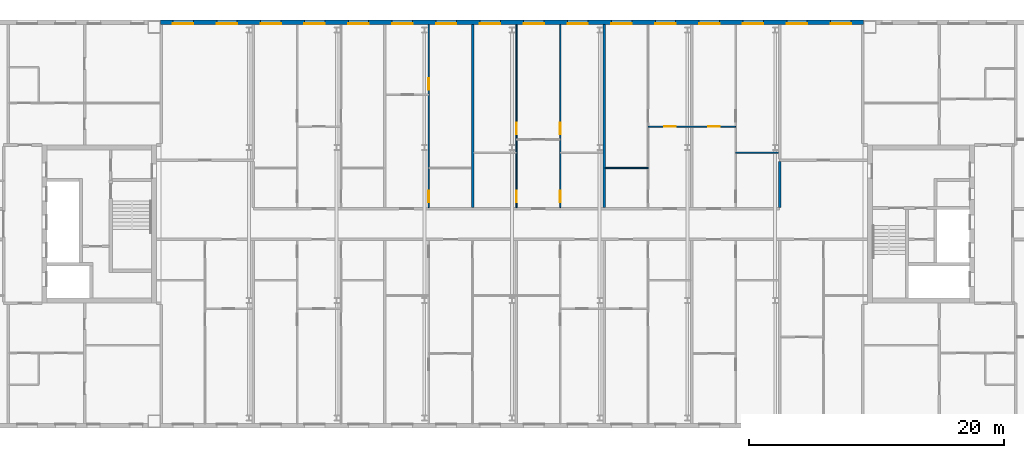
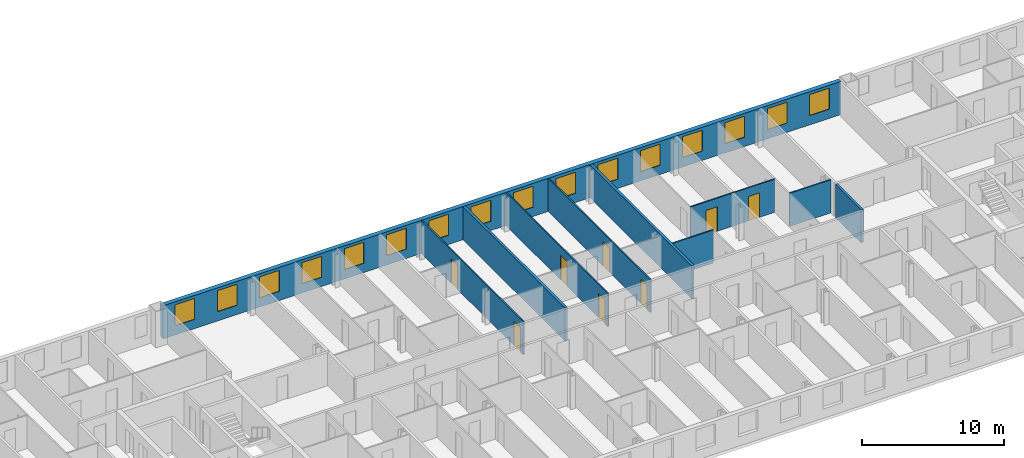
# One storey, part 12 of 19: 16 windows, 10 walls, 8 doors, 24 openings.
"""IFC4 building model written with IfcOpenShell, lengths in metres."""

from ifc_helpers import new_model, si_unit, direction, frame, frame_2d, origin, place, context, subcontext, project, spatial, rectangle, extrude, material, layer, layer_set, type_object, element, fill, save


model = new_model("IFC4")

# Units and contexts
model_context = context("Model", 3, precision=1e-05, world=origin(), true_north=direction((0.0, 1.0)))
body_context = subcontext(model_context, "Body", "Model", "MODEL_VIEW")
ifc_project = project(units=[si_unit("LENGTHUNIT", "METRE"), si_unit("AREAUNIT", "SQUARE_METRE"), si_unit("VOLUMEUNIT", "CUBIC_METRE"), si_unit("PLANEANGLEUNIT", "RADIAN"), si_unit("MASSUNIT", "GRAM", prefix="KILO")], contexts=[model_context])

# Site, building, storey
site_placement = place(None, origin())
site = spatial("IfcSite", under=ifc_project, at=site_placement, CompositionType="ELEMENT")
building_placement = place(site_placement, origin())
building = spatial("IfcBuilding", under=site, at=building_placement, Name="Tuart Gate Housing", CompositionType="ELEMENT")
storey_placement = place(building_placement, frame((0.0, 0.0, 205.89990234375)))
storey = spatial("IfcBuildingStorey", under=building, at=storey_placement, Name="L58", CompositionType="ELEMENT", Elevation=205.89990234375)

# Wall, openings, windows
ifc_material_1 = material(Name="Brick", Category="masonry")
ifc_layer_1 = layer(ifc_material_1, 0.360107421875)
ifc_layer_set_1 = layer_set([ifc_layer_1], Name="Brick pier and spandrel wall 360")
wall_type_1 = type_object("IfcWallType", Name="Brick pier and spandrel wall 360", PredefinedType="STANDARD", material=ifc_layer_set_1)
wall_1_placement = place(storey_placement, frame((131.050048828125, 85.820068359375, 0.0), z_axis=(0.0, 0.0, 1.0), x_axis=(-1.0, 0.0, 0.0)))
wall_1 = element("IfcWall", 1, at=wall_1_placement, inside=storey, type_object=wall_type_1, Name="External wall BLK-N L58", PredefinedType="STANDARD", context=body_context, shape_type="SweptSolid", body=[
    extrude(rectangle(XDim=55.10009765625, YDim=0.360107421875, at=frame_2d((27.550048828125, 0.0))), origin(), (0.0, 0.0, 1.0), 2.85009765625),
])
opening_1_placement = place(wall_1_placement, frame((0.96875, 0.0, 0.800048828125)))
opening_1 = element("IfcOpeningElement", 2, at=opening_1_placement, cuts=wall_1, Name="Opening W1", PredefinedType="OPENING", context=body_context, shape_type="SweptSolid", body=[
    extrude(rectangle(XDim=1.60009765625, YDim=1.800048828125, at=frame_2d((0.800048828125, 0.89990234375))), frame((0.0, 0.18994140625, 0.0), z_axis=(0.0, -1.0, 0.0), x_axis=(1.0, 0.0, 0.0)), (0.0, 0.0, 1.0), 0.380126953125),
])
opening_2_placement = place(wall_1_placement, frame((4.40625, 0.0, 0.800048828125)))
opening_2 = element("IfcOpeningElement", 3, at=opening_2_placement, cuts=wall_1, Name="Opening W1", PredefinedType="OPENING", context=body_context, shape_type="SweptSolid", body=[
    extrude(rectangle(XDim=1.60009765625, YDim=1.800048828125, at=frame_2d((0.800048828125, 0.89990234375))), frame((0.0, 0.18994140625, 0.0), z_axis=(0.0, -1.0, 0.0), x_axis=(1.0, 0.0, 0.0)), (0.0, 0.0, 1.0), 0.380126953125),
])
opening_3_placement = place(wall_1_placement, frame((7.84375, 0.0, 0.800048828125)))
opening_3 = element("IfcOpeningElement", 4, at=opening_3_placement, cuts=wall_1, Name="Opening W1", PredefinedType="OPENING", context=body_context, shape_type="SweptSolid", body=[
    extrude(rectangle(XDim=1.60009765625, YDim=1.800048828125, at=frame_2d((0.800048828125, 0.89990234375))), frame((0.0, 0.18994140625, 0.0), z_axis=(0.0, -1.0, 0.0), x_axis=(1.0, 0.0, 0.0)), (0.0, 0.0, 1.0), 0.380126953125),
])
opening_4_placement = place(wall_1_placement, frame((11.28125, 0.0, 0.800048828125)))
opening_4 = element("IfcOpeningElement", 5, at=opening_4_placement, cuts=wall_1, Name="Opening W1", PredefinedType="OPENING", context=body_context, shape_type="SweptSolid", body=[
    extrude(rectangle(XDim=1.60009765625, YDim=1.800048828125, at=frame_2d((0.800048828125, 0.89990234375))), frame((0.0, 0.18994140625, 0.0), z_axis=(0.0, -1.0, 0.0), x_axis=(1.0, 0.0, 0.0)), (0.0, 0.0, 1.0), 0.380126953125),
])
opening_5_placement = place(wall_1_placement, frame((14.71875, 0.0, 0.800048828125)))
opening_5 = element("IfcOpeningElement", 6, at=opening_5_placement, cuts=wall_1, Name="Opening W1", PredefinedType="OPENING", context=body_context, shape_type="SweptSolid", body=[
    extrude(rectangle(XDim=1.60009765625, YDim=1.800048828125, at=frame_2d((0.800048828125, 0.89990234375))), frame((0.0, 0.18994140625, 0.0), z_axis=(0.0, -1.0, 0.0), x_axis=(1.0, 0.0, 0.0)), (0.0, 0.0, 1.0), 0.380126953125),
])
opening_6_placement = place(wall_1_placement, frame((18.15625, 0.0, 0.800048828125)))
opening_6 = element("IfcOpeningElement", 7, at=opening_6_placement, cuts=wall_1, Name="Opening W1", PredefinedType="OPENING", context=body_context, shape_type="SweptSolid", body=[
    extrude(rectangle(XDim=1.60009765625, YDim=1.800048828125, at=frame_2d((0.800048828125, 0.89990234375))), frame((0.0, 0.18994140625, 0.0), z_axis=(0.0, -1.0, 0.0), x_axis=(1.0, 0.0, 0.0)), (0.0, 0.0, 1.0), 0.380126953125),
])
opening_7_placement = place(wall_1_placement, frame((21.59375, 0.0, 0.800048828125)))
opening_7 = element("IfcOpeningElement", 8, at=opening_7_placement, cuts=wall_1, Name="Opening W1", PredefinedType="OPENING", context=body_context, shape_type="SweptSolid", body=[
    extrude(rectangle(XDim=1.60009765625, YDim=1.800048828125, at=frame_2d((0.800048828125, 0.89990234375))), frame((0.0, 0.18994140625, 0.0), z_axis=(0.0, -1.0, 0.0), x_axis=(1.0, 0.0, 0.0)), (0.0, 0.0, 1.0), 0.380126953125),
])
opening_8_placement = place(wall_1_placement, frame((25.03125, 0.0, 0.800048828125)))
opening_8 = element("IfcOpeningElement", 9, at=opening_8_placement, cuts=wall_1, Name="Opening W1", PredefinedType="OPENING", context=body_context, shape_type="SweptSolid", body=[
    extrude(rectangle(XDim=1.60009765625, YDim=1.800048828125, at=frame_2d((0.800048828125, 0.89990234375))), frame((0.0, 0.18994140625, 0.0), z_axis=(0.0, -1.0, 0.0), x_axis=(1.0, 0.0, 0.0)), (0.0, 0.0, 1.0), 0.380126953125),
])
opening_9_placement = place(wall_1_placement, frame((28.46875, 0.0, 0.800048828125)))
opening_9 = element("IfcOpeningElement", 10, at=opening_9_placement, cuts=wall_1, Name="Opening W1", PredefinedType="OPENING", context=body_context, shape_type="SweptSolid", body=[
    extrude(rectangle(XDim=1.60009765625, YDim=1.800048828125, at=frame_2d((0.800048828125, 0.89990234375))), frame((0.0, 0.18994140625, 0.0), z_axis=(0.0, -1.0, 0.0), x_axis=(1.0, 0.0, 0.0)), (0.0, 0.0, 1.0), 0.380126953125),
])
opening_10_placement = place(wall_1_placement, frame((31.90625, 0.0, 0.800048828125)))
opening_10 = element("IfcOpeningElement", 11, at=opening_10_placement, cuts=wall_1, Name="Opening W1", PredefinedType="OPENING", context=body_context, shape_type="SweptSolid", body=[
    extrude(rectangle(XDim=1.60009765625, YDim=1.800048828125, at=frame_2d((0.800048828125, 0.89990234375))), frame((0.0, 0.18994140625, 0.0), z_axis=(0.0, -1.0, 0.0), x_axis=(1.0, 0.0, 0.0)), (0.0, 0.0, 1.0), 0.380126953125),
])
opening_11_placement = place(wall_1_placement, frame((35.34375, 0.0, 0.800048828125)))
opening_11 = element("IfcOpeningElement", 12, at=opening_11_placement, cuts=wall_1, Name="Opening W1", PredefinedType="OPENING", context=body_context, shape_type="SweptSolid", body=[
    extrude(rectangle(XDim=1.60009765625, YDim=1.800048828125, at=frame_2d((0.800048828125, 0.89990234375))), frame((0.0, 0.18994140625, 0.0), z_axis=(0.0, -1.0, 0.0), x_axis=(1.0, 0.0, 0.0)), (0.0, 0.0, 1.0), 0.380126953125),
])
opening_12_placement = place(wall_1_placement, frame((38.78125, 0.0, 0.800048828125)))
opening_12 = element("IfcOpeningElement", 13, at=opening_12_placement, cuts=wall_1, Name="Opening W1", PredefinedType="OPENING", context=body_context, shape_type="SweptSolid", body=[
    extrude(rectangle(XDim=1.60009765625, YDim=1.800048828125, at=frame_2d((0.800048828125, 0.89990234375))), frame((0.0, 0.18994140625, 0.0), z_axis=(0.0, -1.0, 0.0), x_axis=(1.0, 0.0, 0.0)), (0.0, 0.0, 1.0), 0.380126953125),
])
opening_13_placement = place(wall_1_placement, frame((42.21875, 0.0, 0.800048828125)))
opening_13 = element("IfcOpeningElement", 14, at=opening_13_placement, cuts=wall_1, Name="Opening W1", PredefinedType="OPENING", context=body_context, shape_type="SweptSolid", body=[
    extrude(rectangle(XDim=1.60009765625, YDim=1.800048828125, at=frame_2d((0.800048828125, 0.89990234375))), frame((0.0, 0.18994140625, 0.0), z_axis=(0.0, -1.0, 0.0), x_axis=(1.0, 0.0, 0.0)), (0.0, 0.0, 1.0), 0.380126953125),
])
opening_14_placement = place(wall_1_placement, frame((45.65625, 0.0, 0.800048828125)))
opening_14 = element("IfcOpeningElement", 15, at=opening_14_placement, cuts=wall_1, Name="Opening W1", PredefinedType="OPENING", context=body_context, shape_type="SweptSolid", body=[
    extrude(rectangle(XDim=1.60009765625, YDim=1.800048828125, at=frame_2d((0.800048828125, 0.89990234375))), frame((0.0, 0.18994140625, 0.0), z_axis=(0.0, -1.0, 0.0), x_axis=(1.0, 0.0, 0.0)), (0.0, 0.0, 1.0), 0.380126953125),
])
opening_15_placement = place(wall_1_placement, frame((49.09375, 0.0, 0.800048828125)))
opening_15 = element("IfcOpeningElement", 16, at=opening_15_placement, cuts=wall_1, Name="Opening W1", PredefinedType="OPENING", context=body_context, shape_type="SweptSolid", body=[
    extrude(rectangle(XDim=1.60009765625, YDim=1.800048828125, at=frame_2d((0.800048828125, 0.89990234375))), frame((0.0, 0.18994140625, 0.0), z_axis=(0.0, -1.0, 0.0), x_axis=(1.0, 0.0, 0.0)), (0.0, 0.0, 1.0), 0.380126953125),
])
opening_16_placement = place(wall_1_placement, frame((52.53125, 0.0, 0.800048828125)))
opening_16 = element("IfcOpeningElement", 17, at=opening_16_placement, cuts=wall_1, Name="Opening W1", PredefinedType="OPENING", context=body_context, shape_type="SweptSolid", body=[
    extrude(rectangle(XDim=1.60009765625, YDim=1.800048828125, at=frame_2d((0.800048828125, 0.89990234375))), frame((0.0, 0.18994140625, 0.0), z_axis=(0.0, -1.0, 0.0), x_axis=(1.0, 0.0, 0.0)), (0.0, 0.0, 1.0), 0.380126953125),
])
ifc_material_2 = material(Name="Aluminium frame with clear glass", Category="aluminium")
window_type = type_object("IfcWindowType", Name="Punched window 1600 x 1800", PartitioningType="SINGLE_PANEL", PredefinedType="WINDOW", material=ifc_material_2)
window_1_placement = place(opening_1_placement, origin())
window_1 = element("IfcWindow", 18, at=window_1_placement, inside=storey, type_object=window_type, Name="Window W1", OverallHeight=1.800048828125, OverallWidth=1.60009765625, PartitioningType="SINGLE_PANEL", PredefinedType="WINDOW", context=body_context, shape_type="SweptSolid", body=[
    extrude(rectangle(XDim=1.60009765625, YDim=1.800048828125, at=frame_2d((0.800048828125, 0.89990234375))), frame((0.0, 0.150146484375, 0.0), z_axis=(0.0, -1.0, 0.0), x_axis=(1.0, 0.0, 0.0)), (0.0, 0.0, 1.0), 0.06005859375),
])
fill(opening_1, window_1)
window_2_placement = place(opening_2_placement, origin())
window_2 = element("IfcWindow", 19, at=window_2_placement, inside=storey, type_object=window_type, Name="Window W1", OverallHeight=1.800048828125, OverallWidth=1.60009765625, PartitioningType="SINGLE_PANEL", PredefinedType="WINDOW", context=body_context, shape_type="SweptSolid", body=[
    extrude(rectangle(XDim=1.60009765625, YDim=1.800048828125, at=frame_2d((0.800048828125, 0.89990234375))), frame((0.0, 0.150146484375, 0.0), z_axis=(0.0, -1.0, 0.0), x_axis=(1.0, 0.0, 0.0)), (0.0, 0.0, 1.0), 0.06005859375),
])
fill(opening_2, window_2)
window_3_placement = place(opening_3_placement, origin())
window_3 = element("IfcWindow", 20, at=window_3_placement, inside=storey, type_object=window_type, Name="Window W1", OverallHeight=1.800048828125, OverallWidth=1.60009765625, PartitioningType="SINGLE_PANEL", PredefinedType="WINDOW", context=body_context, shape_type="SweptSolid", body=[
    extrude(rectangle(XDim=1.60009765625, YDim=1.800048828125, at=frame_2d((0.800048828125, 0.89990234375))), frame((0.0, 0.150146484375, 0.0), z_axis=(0.0, -1.0, 0.0), x_axis=(1.0, 0.0, 0.0)), (0.0, 0.0, 1.0), 0.06005859375),
])
fill(opening_3, window_3)
window_4_placement = place(opening_4_placement, origin())
window_4 = element("IfcWindow", 21, at=window_4_placement, inside=storey, type_object=window_type, Name="Window W1", OverallHeight=1.800048828125, OverallWidth=1.60009765625, PartitioningType="SINGLE_PANEL", PredefinedType="WINDOW", context=body_context, shape_type="SweptSolid", body=[
    extrude(rectangle(XDim=1.60009765625, YDim=1.800048828125, at=frame_2d((0.800048828125, 0.89990234375))), frame((0.0, 0.150146484375, 0.0), z_axis=(0.0, -1.0, 0.0), x_axis=(1.0, 0.0, 0.0)), (0.0, 0.0, 1.0), 0.06005859375),
])
fill(opening_4, window_4)
window_5_placement = place(opening_5_placement, origin())
window_5 = element("IfcWindow", 22, at=window_5_placement, inside=storey, type_object=window_type, Name="Window W1", OverallHeight=1.800048828125, OverallWidth=1.60009765625, PartitioningType="SINGLE_PANEL", PredefinedType="WINDOW", context=body_context, shape_type="SweptSolid", body=[
    extrude(rectangle(XDim=1.60009765625, YDim=1.800048828125, at=frame_2d((0.800048828125, 0.89990234375))), frame((0.0, 0.150146484375, 0.0), z_axis=(0.0, -1.0, 0.0), x_axis=(1.0, 0.0, 0.0)), (0.0, 0.0, 1.0), 0.06005859375),
])
fill(opening_5, window_5)
window_6_placement = place(opening_6_placement, origin())
window_6 = element("IfcWindow", 23, at=window_6_placement, inside=storey, type_object=window_type, Name="Window W1", OverallHeight=1.800048828125, OverallWidth=1.60009765625, PartitioningType="SINGLE_PANEL", PredefinedType="WINDOW", context=body_context, shape_type="SweptSolid", body=[
    extrude(rectangle(XDim=1.60009765625, YDim=1.800048828125, at=frame_2d((0.800048828125, 0.89990234375))), frame((0.0, 0.150146484375, 0.0), z_axis=(0.0, -1.0, 0.0), x_axis=(1.0, 0.0, 0.0)), (0.0, 0.0, 1.0), 0.06005859375),
])
fill(opening_6, window_6)
window_7_placement = place(opening_7_placement, origin())
window_7 = element("IfcWindow", 24, at=window_7_placement, inside=storey, type_object=window_type, Name="Window W1", OverallHeight=1.800048828125, OverallWidth=1.60009765625, PartitioningType="SINGLE_PANEL", PredefinedType="WINDOW", context=body_context, shape_type="SweptSolid", body=[
    extrude(rectangle(XDim=1.60009765625, YDim=1.800048828125, at=frame_2d((0.800048828125, 0.89990234375))), frame((0.0, 0.150146484375, 0.0), z_axis=(0.0, -1.0, 0.0), x_axis=(1.0, 0.0, 0.0)), (0.0, 0.0, 1.0), 0.06005859375),
])
fill(opening_7, window_7)
window_8_placement = place(opening_8_placement, origin())
window_8 = element("IfcWindow", 25, at=window_8_placement, inside=storey, type_object=window_type, Name="Window W1", OverallHeight=1.800048828125, OverallWidth=1.60009765625, PartitioningType="SINGLE_PANEL", PredefinedType="WINDOW", context=body_context, shape_type="SweptSolid", body=[
    extrude(rectangle(XDim=1.60009765625, YDim=1.800048828125, at=frame_2d((0.800048828125, 0.89990234375))), frame((0.0, 0.150146484375, 0.0), z_axis=(0.0, -1.0, 0.0), x_axis=(1.0, 0.0, 0.0)), (0.0, 0.0, 1.0), 0.06005859375),
])
fill(opening_8, window_8)
window_9_placement = place(opening_9_placement, origin())
window_9 = element("IfcWindow", 26, at=window_9_placement, inside=storey, type_object=window_type, Name="Window W1", OverallHeight=1.800048828125, OverallWidth=1.60009765625, PartitioningType="SINGLE_PANEL", PredefinedType="WINDOW", context=body_context, shape_type="SweptSolid", body=[
    extrude(rectangle(XDim=1.60009765625, YDim=1.800048828125, at=frame_2d((0.800048828125, 0.89990234375))), frame((0.0, 0.150146484375, 0.0), z_axis=(0.0, -1.0, 0.0), x_axis=(1.0, 0.0, 0.0)), (0.0, 0.0, 1.0), 0.06005859375),
])
fill(opening_9, window_9)
window_10_placement = place(opening_10_placement, origin())
window_10 = element("IfcWindow", 27, at=window_10_placement, inside=storey, type_object=window_type, Name="Window W1", OverallHeight=1.800048828125, OverallWidth=1.60009765625, PartitioningType="SINGLE_PANEL", PredefinedType="WINDOW", context=body_context, shape_type="SweptSolid", body=[
    extrude(rectangle(XDim=1.60009765625, YDim=1.800048828125, at=frame_2d((0.800048828125, 0.89990234375))), frame((0.0, 0.150146484375, 0.0), z_axis=(0.0, -1.0, 0.0), x_axis=(1.0, 0.0, 0.0)), (0.0, 0.0, 1.0), 0.06005859375),
])
fill(opening_10, window_10)
window_11_placement = place(opening_11_placement, origin())
window_11 = element("IfcWindow", 28, at=window_11_placement, inside=storey, type_object=window_type, Name="Window W1", OverallHeight=1.800048828125, OverallWidth=1.60009765625, PartitioningType="SINGLE_PANEL", PredefinedType="WINDOW", context=body_context, shape_type="SweptSolid", body=[
    extrude(rectangle(XDim=1.60009765625, YDim=1.800048828125, at=frame_2d((0.800048828125, 0.89990234375))), frame((0.0, 0.150146484375, 0.0), z_axis=(0.0, -1.0, 0.0), x_axis=(1.0, 0.0, 0.0)), (0.0, 0.0, 1.0), 0.06005859375),
])
fill(opening_11, window_11)
window_12_placement = place(opening_12_placement, origin())
window_12 = element("IfcWindow", 29, at=window_12_placement, inside=storey, type_object=window_type, Name="Window W1", OverallHeight=1.800048828125, OverallWidth=1.60009765625, PartitioningType="SINGLE_PANEL", PredefinedType="WINDOW", context=body_context, shape_type="SweptSolid", body=[
    extrude(rectangle(XDim=1.60009765625, YDim=1.800048828125, at=frame_2d((0.800048828125, 0.89990234375))), frame((0.0, 0.150146484375, 0.0), z_axis=(0.0, -1.0, 0.0), x_axis=(1.0, 0.0, 0.0)), (0.0, 0.0, 1.0), 0.06005859375),
])
fill(opening_12, window_12)
window_13_placement = place(opening_13_placement, origin())
window_13 = element("IfcWindow", 30, at=window_13_placement, inside=storey, type_object=window_type, Name="Window W1", OverallHeight=1.800048828125, OverallWidth=1.60009765625, PartitioningType="SINGLE_PANEL", PredefinedType="WINDOW", context=body_context, shape_type="SweptSolid", body=[
    extrude(rectangle(XDim=1.60009765625, YDim=1.800048828125, at=frame_2d((0.800048828125, 0.89990234375))), frame((0.0, 0.150146484375, 0.0), z_axis=(0.0, -1.0, 0.0), x_axis=(1.0, 0.0, 0.0)), (0.0, 0.0, 1.0), 0.06005859375),
])
fill(opening_13, window_13)
window_14_placement = place(opening_14_placement, origin())
window_14 = element("IfcWindow", 31, at=window_14_placement, inside=storey, type_object=window_type, Name="Window W1", OverallHeight=1.800048828125, OverallWidth=1.60009765625, PartitioningType="SINGLE_PANEL", PredefinedType="WINDOW", context=body_context, shape_type="SweptSolid", body=[
    extrude(rectangle(XDim=1.60009765625, YDim=1.800048828125, at=frame_2d((0.800048828125, 0.89990234375))), frame((0.0, 0.150146484375, 0.0), z_axis=(0.0, -1.0, 0.0), x_axis=(1.0, 0.0, 0.0)), (0.0, 0.0, 1.0), 0.06005859375),
])
fill(opening_14, window_14)
window_15_placement = place(opening_15_placement, origin())
window_15 = element("IfcWindow", 32, at=window_15_placement, inside=storey, type_object=window_type, Name="Window W1", OverallHeight=1.800048828125, OverallWidth=1.60009765625, PartitioningType="SINGLE_PANEL", PredefinedType="WINDOW", context=body_context, shape_type="SweptSolid", body=[
    extrude(rectangle(XDim=1.60009765625, YDim=1.800048828125, at=frame_2d((0.800048828125, 0.89990234375))), frame((0.0, 0.150146484375, 0.0), z_axis=(0.0, -1.0, 0.0), x_axis=(1.0, 0.0, 0.0)), (0.0, 0.0, 1.0), 0.06005859375),
])
fill(opening_15, window_15)
window_16_placement = place(opening_16_placement, origin())
window_16 = element("IfcWindow", 33, at=window_16_placement, inside=storey, type_object=window_type, Name="Window W1", OverallHeight=1.800048828125, OverallWidth=1.60009765625, PartitioningType="SINGLE_PANEL", PredefinedType="WINDOW", context=body_context, shape_type="SweptSolid", body=[
    extrude(rectangle(XDim=1.60009765625, YDim=1.800048828125, at=frame_2d((0.800048828125, 0.89990234375))), frame((0.0, 0.150146484375, 0.0), z_axis=(0.0, -1.0, 0.0), x_axis=(1.0, 0.0, 0.0)), (0.0, 0.0, 1.0), 0.06005859375),
])
fill(opening_16, window_16)

# Walls
ifc_material_3 = material(Name="Concrete masonry 15 MPa", Category="masonry")
ifc_layer_2 = layer(ifc_material_3, 0.199951171875)
ifc_layer_set_2 = layer_set([ifc_layer_2], Name="Corridor wall masonry 200")
wall_type_2 = type_object("IfcWallType", Name="Corridor wall masonry 200", PredefinedType="PARTITIONING", material=ifc_layer_set_2)
wall_2_placement = place(storey_placement, frame((124.47509765625, 71.300048828125, 0.0), z_axis=(0.0, 0.0, 1.0), x_axis=(0.0, 1.0, 0.0)))
element("IfcWall", 34, at=wall_2_placement, inside=storey, type_object=wall_type_2, Name="Corridor wall masonry 200", PredefinedType="PARTITIONING", context=body_context, shape_type="SweptSolid", body=[
    extrude(rectangle(XDim=3.599853515625, YDim=0.199951171875, at=frame_2d((1.7998046875, 0.0))), origin(), (0.0, 0.0, 1.0), 2.85009765625),
])
ifc_material_4 = material(Name="Gypsum board on steel studs", Category="steel")
ifc_layer_3 = layer(ifc_material_4, 0.10009765625)
ifc_layer_set_3 = layer_set([ifc_layer_3], Name="Partition 100")
wall_type_3 = type_object("IfcWallType", Name="Partition 100", PredefinedType="PARTITIONING", material=ifc_layer_set_3)
wall_3_placement = place(storey_placement, frame((110.824951171875, 74.39990234375, 0.0), z_axis=(0.0, 0.0, 1.0), x_axis=(1.0, 0.0, 0.0)))
element("IfcWall", 35, at=wall_3_placement, inside=storey, type_object=wall_type_3, Name="Partition 100", PredefinedType="PARTITIONING", context=body_context, shape_type="SweptSolid", body=[
    extrude(rectangle(XDim=3.337158203125, YDim=0.10009765625, at=frame_2d((1.66845703125, 0.0))), origin(), (0.0, 0.0, 1.0), 2.85009765625),
])
wall_4_placement = place(storey_placement, frame((121.037109375, 75.60009765625, 0.0), z_axis=(0.0, 0.0, 1.0), x_axis=(1.0, 0.0, 0.0)))
element("IfcWall", 36, at=wall_4_placement, inside=storey, type_object=wall_type_3, Name="Partition 100", PredefinedType="PARTITIONING", context=body_context, shape_type="SweptSolid", body=[
    extrude(rectangle(XDim=3.337890625, YDim=0.10009765625, at=frame_2d((1.6689453125, 0.0))), origin(), (0.0, 0.0, 1.0), 2.85009765625),
])

# Wall, openings, doors
wall_5_placement = place(storey_placement, frame((114.162109375, 77.639892578125, 0.0), z_axis=(0.0, 0.0, 1.0), x_axis=(1.0, 0.0, 0.0)))
wall_5 = element("IfcWall", 37, at=wall_5_placement, inside=storey, type_object=wall_type_3, Name="Partition 100", PredefinedType="PARTITIONING", context=body_context, shape_type="SweptSolid", body=[
    extrude(rectangle(XDim=6.875, YDim=0.10009765625, at=frame_2d((3.4375, 0.0))), origin(), (0.0, 0.0, 1.0), 2.85009765625),
])
opening_17_placement = place(wall_5_placement, frame((1.26904296875, 0.0, 0.0)))
opening_17 = element("IfcOpeningElement", 38, at=opening_17_placement, cuts=wall_5, Name="Opening D2018", PredefinedType="OPENING", context=body_context, shape_type="SweptSolid", body=[
    extrude(rectangle(XDim=0.89990234375, YDim=2.10009765625, at=frame_2d((0.449951171875, 1.050048828125))), frame((0.0, 0.06005859375, 0.0), z_axis=(0.0, -1.0, 0.0), x_axis=(1.0, 0.0, 0.0)), (0.0, 0.0, 1.0), 0.1201171875),
])
opening_18_placement = place(wall_5_placement, frame((4.70654296875, 0.0, 0.0)))
opening_18 = element("IfcOpeningElement", 39, at=opening_18_placement, cuts=wall_5, Name="Opening D2019", PredefinedType="OPENING", context=body_context, shape_type="SweptSolid", body=[
    extrude(rectangle(XDim=0.89990234375, YDim=2.10009765625, at=frame_2d((0.449951171875, 1.050048828125))), frame((0.0, 0.06005859375, 0.0), z_axis=(0.0, -1.0, 0.0), x_axis=(1.0, 0.0, 0.0)), (0.0, 0.0, 1.0), 0.1201171875),
])
ifc_material_5 = material(Name="Timber door leaf in steel frame", Category="steel")
door_type_1 = type_object("IfcDoorType", Name="Internal door 900 RH", OperationType="SINGLE_SWING_RIGHT", PredefinedType="DOOR", material=ifc_material_5)
door_1_placement = place(opening_17_placement, frame((0.89990234375, 0.0, 0.0), z_axis=(0.0, 0.0, 1.0), x_axis=(-1.0, 0.0, 0.0)))
door_1 = element("IfcDoor", 40, at=door_1_placement, inside=storey, type_object=door_type_1, Name="Internal door", OperationType="SINGLE_SWING_RIGHT", OverallHeight=2.10009765625, OverallWidth=0.89990234375, PredefinedType="DOOR", context=body_context, shape_type="SweptSolid", body=[
    extrude(rectangle(XDim=0.89990234375, YDim=2.10009765625, at=frame_2d((0.449951171875, 1.050048828125))), frame((0.0, 0.025146484375, 0.0), z_axis=(0.0, -1.0, 0.0), x_axis=(1.0, 0.0, 0.0)), (0.0, 0.0, 1.0), 0.050048828125),
])
fill(opening_17, door_1)
door_2_placement = place(opening_18_placement, frame((0.89990234375, 0.0, 0.0), z_axis=(0.0, 0.0, 1.0), x_axis=(-1.0, 0.0, 0.0)))
door_2 = element("IfcDoor", 41, at=door_2_placement, inside=storey, type_object=door_type_1, Name="Internal door", OperationType="SINGLE_SWING_RIGHT", OverallHeight=2.10009765625, OverallWidth=0.89990234375, PredefinedType="DOOR", context=body_context, shape_type="SweptSolid", body=[
    extrude(rectangle(XDim=0.89990234375, YDim=2.10009765625, at=frame_2d((0.449951171875, 1.050048828125))), frame((0.0, 0.025146484375, 0.0), z_axis=(0.0, -1.0, 0.0), x_axis=(1.0, 0.0, 0.0)), (0.0, 0.0, 1.0), 0.050048828125),
])
fill(opening_18, door_2)

wall_6_placement = place(storey_placement, frame((96.97509765625, 71.300048828125, 0.0), z_axis=(0.0, 0.0, 1.0), x_axis=(0.0, 1.0, 0.0)))
wall_6 = element("IfcWall", 42, at=wall_6_placement, inside=storey, type_object=wall_type_3, Name="Partition 100", PredefinedType="PARTITIONING", context=body_context, shape_type="SweptSolid", body=[
    extrude(rectangle(XDim=14.33984375, YDim=0.10009765625, at=frame_2d((7.169921875, 0.0))), origin(), (0.0, 0.0, 1.0), 2.85009765625),
])
opening_19_placement = place(wall_6_placement, frame((9.239990234375, 0.0, 0.0)))
opening_19 = element("IfcOpeningElement", 43, at=opening_19_placement, cuts=wall_6, Name="Opening D2008", PredefinedType="OPENING", context=body_context, shape_type="SweptSolid", body=[
    extrude(rectangle(XDim=0.89990234375, YDim=2.10009765625, at=frame_2d((0.449951171875, 1.050048828125))), frame((0.0, 0.06005859375, 0.0), z_axis=(0.0, -1.0, 0.0), x_axis=(1.0, 0.0, 0.0)), (0.0, 0.0, 1.0), 0.1201171875),
])
opening_20_placement = place(wall_6_placement, frame((0.39990234375, 0.0, 0.0)))
opening_20 = element("IfcOpeningElement", 44, at=opening_20_placement, cuts=wall_6, Name="Opening D2007", PredefinedType="OPENING", context=body_context, shape_type="SweptSolid", body=[
    extrude(rectangle(XDim=0.89990234375, YDim=2.10009765625, at=frame_2d((0.449951171875, 1.050048828125))), frame((0.0, 0.06005859375, 0.0), z_axis=(0.0, -1.0, 0.0), x_axis=(1.0, 0.0, 0.0)), (0.0, 0.0, 1.0), 0.1201171875),
])
ifc_material_6 = material(Name="Timber door leaf in steel frame", Category="steel")
door_type_2 = type_object("IfcDoorType", Name="Bathroom door 900 RH", OperationType="SINGLE_SWING_RIGHT", PredefinedType="DOOR", material=ifc_material_6)
door_3_placement = place(opening_20_placement, frame((0.89990234375, 0.0, 0.0), z_axis=(0.0, 0.0, 1.0), x_axis=(-1.0, 0.0, 0.0)))
door_3 = element("IfcDoor", 45, at=door_3_placement, inside=storey, type_object=door_type_2, Name="Bathroom door", OperationType="SINGLE_SWING_RIGHT", OverallHeight=2.10009765625, OverallWidth=0.89990234375, PredefinedType="DOOR", context=body_context, shape_type="SweptSolid", body=[
    extrude(rectangle(XDim=0.89990234375, YDim=2.10009765625, at=frame_2d((0.449951171875, 1.050048828125))), frame((0.0, 0.025146484375, 0.0), z_axis=(0.0, -1.0, 0.0), x_axis=(1.0, 0.0, 0.0)), (0.0, 0.0, 1.0), 0.050048828125),
])
fill(opening_20, door_3)
ifc_material_7 = material(Name="Timber door leaf in steel frame", Category="steel")
door_type_3 = type_object("IfcDoorType", Name="Internal door 900", OperationType="SINGLE_SWING_LEFT", PredefinedType="DOOR", material=ifc_material_7)
door_4_placement = place(opening_19_placement, frame((0.89990234375, 0.0, 0.0), z_axis=(0.0, 0.0, 1.0), x_axis=(-1.0, 0.0, 0.0)))
door_4 = element("IfcDoor", 46, at=door_4_placement, inside=storey, type_object=door_type_3, Name="Internal door", OperationType="SINGLE_SWING_LEFT", OverallHeight=2.10009765625, OverallWidth=0.89990234375, PredefinedType="DOOR", context=body_context, shape_type="SweptSolid", body=[
    extrude(rectangle(XDim=0.89990234375, YDim=2.10009765625, at=frame_2d((0.449951171875, 1.050048828125))), frame((0.0, 0.025146484375, 0.0), z_axis=(0.0, -1.0, 0.0), x_axis=(1.0, 0.0, 0.0)), (0.0, 0.0, 1.0), 0.050048828125),
])
fill(opening_19, door_4)

wall_7_placement = place(storey_placement, frame((103.85009765625, 71.300048828125, 0.0), z_axis=(0.0, 0.0, 1.0), x_axis=(0.0, 1.0, 0.0)))
wall_7 = element("IfcWall", 47, at=wall_7_placement, inside=storey, type_object=wall_type_3, Name="Partition 100", PredefinedType="PARTITIONING", context=body_context, shape_type="SweptSolid", body=[
    extrude(rectangle(XDim=14.33984375, YDim=0.10009765625, at=frame_2d((7.169921875, 0.0))), origin(), (0.0, 0.0, 1.0), 2.85009765625),
])
opening_21_placement = place(wall_7_placement, frame((5.739990234375, 0.0, 0.0)))
opening_21 = element("IfcOpeningElement", 48, at=opening_21_placement, cuts=wall_7, Name="Opening D2010", PredefinedType="OPENING", context=body_context, shape_type="SweptSolid", body=[
    extrude(rectangle(XDim=0.89990234375, YDim=2.10009765625, at=frame_2d((0.449951171875, 1.050048828125))), frame((0.0, 0.06005859375, 0.0), z_axis=(0.0, -1.0, 0.0), x_axis=(1.0, 0.0, 0.0)), (0.0, 0.0, 1.0), 0.1201171875),
])
opening_22_placement = place(wall_7_placement, frame((0.39990234375, 0.0, 0.0)))
opening_22 = element("IfcOpeningElement", 49, at=opening_22_placement, cuts=wall_7, Name="Opening D2009", PredefinedType="OPENING", context=body_context, shape_type="SweptSolid", body=[
    extrude(rectangle(XDim=0.89990234375, YDim=2.10009765625, at=frame_2d((0.449951171875, 1.050048828125))), frame((0.0, 0.06005859375, 0.0), z_axis=(0.0, -1.0, 0.0), x_axis=(1.0, 0.0, 0.0)), (0.0, 0.0, 1.0), 0.1201171875),
])
ifc_material_8 = material(Name="Timber door leaf in steel frame", Category="steel")
door_type_4 = type_object("IfcDoorType", Name="Bathroom door 900", OperationType="SINGLE_SWING_LEFT", PredefinedType="DOOR", material=ifc_material_8)
door_5_placement = place(opening_22_placement, origin())
door_5 = element("IfcDoor", 50, at=door_5_placement, inside=storey, type_object=door_type_4, Name="Bathroom door", OperationType="SINGLE_SWING_LEFT", OverallHeight=2.10009765625, OverallWidth=0.89990234375, PredefinedType="DOOR", context=body_context, shape_type="SweptSolid", body=[
    extrude(rectangle(XDim=0.89990234375, YDim=2.10009765625, at=frame_2d((0.449951171875, 1.050048828125))), frame((0.0, 0.02490234375, 0.0), z_axis=(0.0, -1.0, 0.0), x_axis=(1.0, 0.0, 0.0)), (0.0, 0.0, 1.0), 0.050048828125),
])
fill(opening_22, door_5)
door_6_placement = place(opening_21_placement, origin())
door_6 = element("IfcDoor", 51, at=door_6_placement, inside=storey, type_object=door_type_3, Name="Internal door", OperationType="SINGLE_SWING_LEFT", OverallHeight=2.10009765625, OverallWidth=0.89990234375, PredefinedType="DOOR", context=body_context, shape_type="SweptSolid", body=[
    extrude(rectangle(XDim=0.89990234375, YDim=2.10009765625, at=frame_2d((0.449951171875, 1.050048828125))), frame((0.0, 0.02490234375, 0.0), z_axis=(0.0, -1.0, 0.0), x_axis=(1.0, 0.0, 0.0)), (0.0, 0.0, 1.0), 0.050048828125),
])
fill(opening_21, door_6)

wall_8_placement = place(storey_placement, frame((107.287109375, 71.300048828125, 0.0), z_axis=(0.0, 0.0, 1.0), x_axis=(0.0, 1.0, 0.0)))
wall_8 = element("IfcWall", 52, at=wall_8_placement, inside=storey, type_object=wall_type_3, Name="Partition 100", PredefinedType="PARTITIONING", context=body_context, shape_type="SweptSolid", body=[
    extrude(rectangle(XDim=14.33984375, YDim=0.10009765625, at=frame_2d((7.169921875, 0.0))), origin(), (0.0, 0.0, 1.0), 2.85009765625),
])
opening_23_placement = place(wall_8_placement, frame((5.739990234375, 0.0, 0.0)))
opening_23 = element("IfcOpeningElement", 53, at=opening_23_placement, cuts=wall_8, Name="Opening D2012", PredefinedType="OPENING", context=body_context, shape_type="SweptSolid", body=[
    extrude(rectangle(XDim=0.89990234375, YDim=2.10009765625, at=frame_2d((0.449951171875, 1.050048828125))), frame((0.0, 0.06005859375, 0.0), z_axis=(0.0, -1.0, 0.0), x_axis=(1.0, 0.0, 0.0)), (0.0, 0.0, 1.0), 0.1201171875),
])
opening_24_placement = place(wall_8_placement, frame((0.39990234375, 0.0, 0.0)))
opening_24 = element("IfcOpeningElement", 54, at=opening_24_placement, cuts=wall_8, Name="Opening D2011", PredefinedType="OPENING", context=body_context, shape_type="SweptSolid", body=[
    extrude(rectangle(XDim=0.89990234375, YDim=2.10009765625, at=frame_2d((0.449951171875, 1.050048828125))), frame((0.0, 0.06005859375, 0.0), z_axis=(0.0, -1.0, 0.0), x_axis=(1.0, 0.0, 0.0)), (0.0, 0.0, 1.0), 0.1201171875),
])
door_7_placement = place(opening_24_placement, frame((0.89990234375, 0.0, 0.0), z_axis=(0.0, 0.0, 1.0), x_axis=(-1.0, 0.0, 0.0)))
door_7 = element("IfcDoor", 55, at=door_7_placement, inside=storey, type_object=door_type_2, Name="Bathroom door", OperationType="SINGLE_SWING_RIGHT", OverallHeight=2.10009765625, OverallWidth=0.89990234375, PredefinedType="DOOR", context=body_context, shape_type="SweptSolid", body=[
    extrude(rectangle(XDim=0.89990234375, YDim=2.10009765625, at=frame_2d((0.449951171875, 1.050048828125))), frame((0.0, 0.025146484375, 0.0), z_axis=(0.0, -1.0, 0.0), x_axis=(1.0, 0.0, 0.0)), (0.0, 0.0, 1.0), 0.050048828125),
])
fill(opening_24, door_7)
door_8_placement = place(opening_23_placement, frame((0.89990234375, 0.0, 0.0), z_axis=(0.0, 0.0, 1.0), x_axis=(-1.0, 0.0, 0.0)))
door_8 = element("IfcDoor", 56, at=door_8_placement, inside=storey, type_object=door_type_1, Name="Internal door", OperationType="SINGLE_SWING_RIGHT", OverallHeight=2.10009765625, OverallWidth=0.89990234375, PredefinedType="DOOR", context=body_context, shape_type="SweptSolid", body=[
    extrude(rectangle(XDim=0.89990234375, YDim=2.10009765625, at=frame_2d((0.449951171875, 1.050048828125))), frame((0.0, 0.025146484375, 0.0), z_axis=(0.0, -1.0, 0.0), x_axis=(1.0, 0.0, 0.0)), (0.0, 0.0, 1.0), 0.050048828125),
])
fill(opening_23, door_8)

# Walls
ifc_material_9 = material(Name="Concrete masonry 15 MPa", Category="masonry")
ifc_layer_4 = layer(ifc_material_9, 0.199951171875)
ifc_layer_set_4 = layer_set([ifc_layer_4], Name="Party wall masonry 200")
wall_type_4 = type_object("IfcWallType", Name="Party wall masonry 200", PredefinedType="PARTITIONING", material=ifc_layer_set_4)
for number, where, z_axis, x_axis, name in (
    (57, (100.412109375, 71.300048828125, 0.0), (0.0, 0.0, 1.0), (0.0, 1.0, 0.0), "Party wall masonry 200"),
    (58, (110.72509765625, 71.300048828125, 0.0), (0.0, 0.0, 1.0), (0.0, 1.0, 0.0), "Party wall masonry 200"),
):
    element("IfcWall", number, at=place(storey_placement, frame(where, z_axis=z_axis, x_axis=x_axis)), inside=storey, type_object=wall_type_4, Name=name, PredefinedType="PARTITIONING", context=body_context, shape_type="SweptSolid", body=[
        extrude(rectangle(XDim=14.33984375, YDim=0.199951171875, at=frame_2d((7.169921875, 0.0))), origin(), (0.0, 0.0, 1.0), 2.85009765625),
    ])

save(model, "model.ifc")
